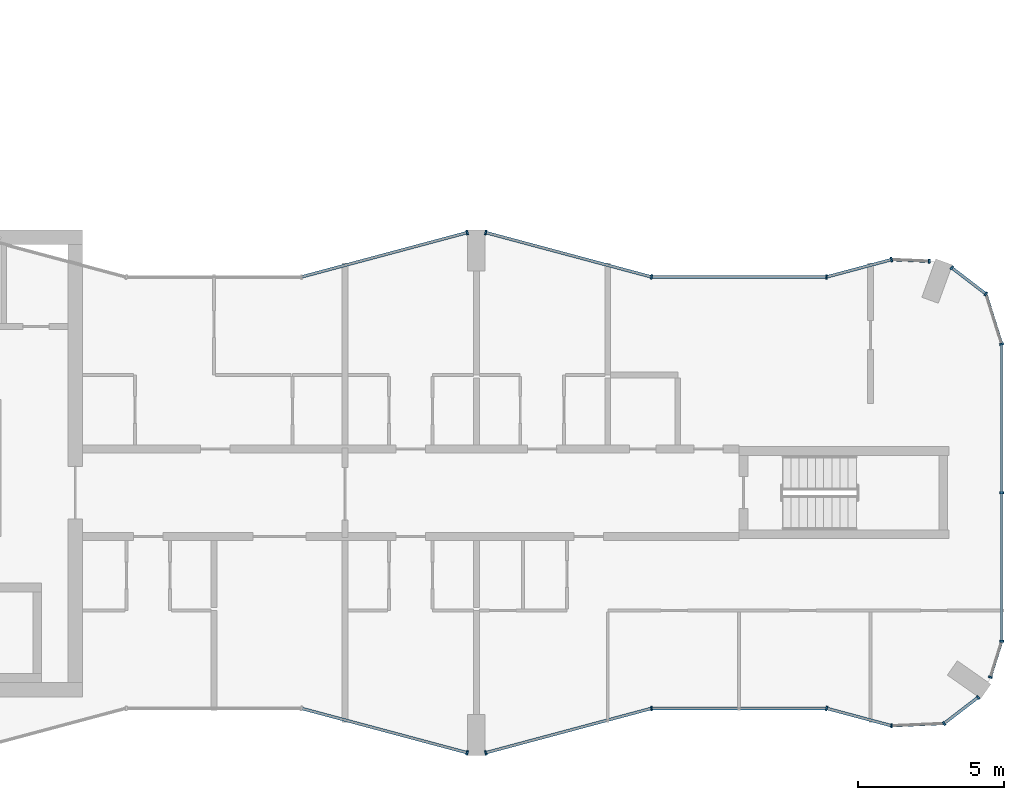
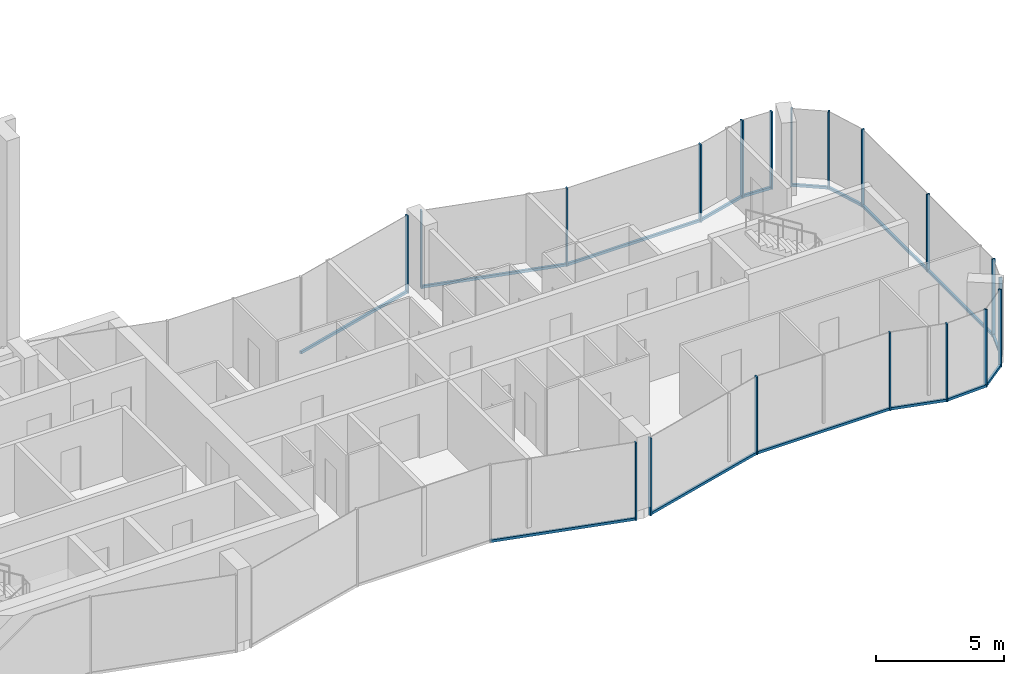
# One storey, part 5 of 13: 34 members, 15 elements without a shape of their own.
"""IFC4 building model written with IfcOpenShell, lengths in metres."""

from ifc_helpers import new_model, si_unit, direction, frame, origin, origin_2d, place, context, subcontext, project, spatial, rectangle, extrude, material, layer, layer_set, material_profile, profile_set, type_object, element, aggregate, save


model = new_model("IFC4")

# Units and contexts
model_context = context("Model", 3, precision=1e-05, world=origin(), true_north=direction((0.0, 1.0)))
body_context = subcontext(model_context, "Body", "Model", "MODEL_VIEW")
ifc_project = project(units=[si_unit("LENGTHUNIT", "METRE"), si_unit("AREAUNIT", "SQUARE_METRE"), si_unit("VOLUMEUNIT", "CUBIC_METRE"), si_unit("PLANEANGLEUNIT", "RADIAN"), si_unit("MASSUNIT", "GRAM", prefix="KILO")], contexts=[model_context])

# Site, building, storey
site_placement = place(None, origin())
site = spatial("IfcSite", under=ifc_project, at=site_placement, CompositionType="ELEMENT")
building_placement = place(site_placement, origin())
building = spatial("IfcBuilding", under=site, at=building_placement, Name="Plateau Cross Towers", CompositionType="ELEMENT")
storey_placement = place(building_placement, frame((0.0, 0.0, 229.39990234375)))
storey = spatial("IfcBuildingStorey", under=building, at=storey_placement, Name="L60", CompositionType="ELEMENT", Elevation=229.39990234375)

# Curtain wall, member
ifc_material_1 = material(Name="Dark low-iron glass", Category="glass")
ifc_layer_1 = layer(ifc_material_1, 0.239990234375)
ifc_layer_set_1 = layer_set([ifc_layer_1], Name="Dark low-iron glass")
curtain_wall_type_1 = type_object("IfcCurtainWallType", Name="Curtain wall flush unitised CW-B", PredefinedType="NOTDEFINED", material=ifc_layer_set_1)
curtain_wall_1_placement = place(storey_placement, origin())
curtain_wall_1 = element("IfcCurtainWall", 1, at=curtain_wall_1_placement, inside=storey, type_object=curtain_wall_type_1, Name="ENV/A/L60/A502_10", PredefinedType="NOTDEFINED")
ifc_material_2 = material(Name="Black anodised aluminium", Category="aluminium")
ifc_material_profile_1 = material_profile(ifc_material_2, rectangle(XDim=0.06005859375, YDim=0.139892578125, at=origin_2d()), Name="MULLION 60x140")
ifc_profile_set_1 = profile_set([ifc_material_profile_1], Name="Black anodised aluminium")
member_type_1 = type_object("IfcMemberType", Name="Mullion 60x140 flush unitised", PredefinedType="MULLION", material=ifc_profile_set_1)
member_1_placement = place(storey_placement, frame((50.223876953125, 1.01123046875, -0.449951171875), z_axis=(0.0, 0.0, 1.0), x_axis=(0.999043701491, 0.043722791671, 0.0)))
member_1 = element("IfcMember", 2, at=member_1_placement, type_object=member_type_1, Name="CW-B mullion 1", PredefinedType="MULLION", context=body_context, shape_type="SweptSolid", body=[
    extrude(rectangle(XDim=0.06005859375, YDim=0.139892578125, at=origin_2d()), origin(), (0.0, 0.0, 1.0), 3.699951171875),
])

# Curtain wall, members
curtain_wall_2_placement = place(storey_placement, origin())
curtain_wall_2 = element("IfcCurtainWall", 3, at=curtain_wall_2_placement, inside=storey, type_object=curtain_wall_type_1, Name="ENV/A/L60/A520_11", PredefinedType="NOTDEFINED")
member_2_placement = place(storey_placement, frame((52.0263671875, 1.090087890625, -0.449951171875), z_axis=(0.0, 0.0, 1.0), x_axis=(0.793315514529, 0.608810721331, 0.0)))
member_2 = element("IfcMember", 4, at=member_2_placement, type_object=member_type_1, Name="CW-B mullion 1", PredefinedType="MULLION", context=body_context, shape_type="SweptSolid", body=[
    extrude(rectangle(XDim=0.06005859375, YDim=0.139892578125, at=origin_2d()), origin(), (0.0, 0.0, 1.0), 3.699951171875),
])
member_3_placement = place(storey_placement, frame((53.193603515625, 1.986083984375, -0.449951171875), z_axis=(0.0, 0.0, 1.0), x_axis=(0.793315514529, 0.608810721331, 0.0)))
member_3 = element("IfcMember", 5, at=member_3_placement, type_object=member_type_1, Name="CW-B mullion 2", PredefinedType="MULLION", context=body_context, shape_type="SweptSolid", body=[
    extrude(rectangle(XDim=0.06005859375, YDim=0.139892578125, at=origin_2d()), origin(), (0.0, 0.0, 1.0), 3.699951171875),
])

# Curtain wall, member
curtain_wall_3_placement = place(storey_placement, origin())
curtain_wall_3 = element("IfcCurtainWall", 6, at=curtain_wall_3_placement, inside=storey, type_object=curtain_wall_type_1, Name="ENV/A/L60/A536_27", PredefinedType="NOTDEFINED")
member_4_placement = place(storey_placement, frame((53.611083984375, 2.67529296875, -0.449951171875), z_axis=(0.0, 0.0, 1.0), x_axis=(0.300686174994, 0.95372313811, 0.0)))
member_4 = element("IfcMember", 7, at=member_4_placement, type_object=member_type_1, Name="CW-B mullion 1", PredefinedType="MULLION", context=body_context, shape_type="SweptSolid", body=[
    extrude(rectangle(XDim=0.06005859375, YDim=0.139892578125, at=origin_2d()), origin(), (0.0, 0.0, 1.0), 3.699951171875),
])

# Curtain wall, members
curtain_wall_4_placement = place(storey_placement, origin())
curtain_wall_4 = element("IfcCurtainWall", 8, at=curtain_wall_4_placement, inside=storey, type_object=curtain_wall_type_1, Name="ENV/A/L60/A540_39", PredefinedType="NOTDEFINED")
member_5_placement = place(storey_placement, frame((54.0, 3.9091796875, -0.449951171875), z_axis=(0.0, 0.0, 1.0), x_axis=(0.0, 1.0, 0.0)))
member_5 = element("IfcMember", 9, at=member_5_placement, type_object=member_type_1, Name="CW-B mullion 1", PredefinedType="MULLION", context=body_context, shape_type="SweptSolid", body=[
    extrude(rectangle(XDim=0.06005859375, YDim=0.139892578125, at=origin_2d()), origin(), (0.0, 0.0, 1.0), 3.699951171875),
])
member_6_placement = place(storey_placement, frame((54.0, 9.0, -0.449951171875), z_axis=(0.0, 0.0, 1.0), x_axis=(0.0, 1.0, 0.0)))
member_6 = element("IfcMember", 10, at=member_6_placement, type_object=member_type_1, Name="CW-B mullion 2", PredefinedType="MULLION", context=body_context, shape_type="SweptSolid", body=[
    extrude(rectangle(XDim=0.06005859375, YDim=0.139892578125, at=origin_2d()), origin(), (0.0, 0.0, 1.0), 3.699951171875),
])

# Curtain wall, member
curtain_wall_5_placement = place(storey_placement, origin())
curtain_wall_5 = element("IfcCurtainWall", 11, at=curtain_wall_5_placement, inside=storey, type_object=curtain_wall_type_1, Name="ENV/A/L60/A540_141", PredefinedType="NOTDEFINED")
member_7_placement = place(storey_placement, frame((54.0, 14.0908203125, -0.449951171875), z_axis=(0.0, 0.0, 1.0), x_axis=(-0.300686174994, 0.95372313811, 0.0)))
member_7 = element("IfcMember", 12, at=member_7_placement, type_object=member_type_1, Name="CW-B mullion 1", PredefinedType="MULLION", context=body_context, shape_type="SweptSolid", body=[
    extrude(rectangle(XDim=0.06005859375, YDim=0.139892578125, at=origin_2d()), origin(), (0.0, 0.0, 1.0), 3.699951171875),
])

# Curtain wall, members
curtain_wall_6_placement = place(storey_placement, origin())
curtain_wall_6 = element("IfcCurtainWall", 13, at=curtain_wall_6_placement, inside=storey, type_object=curtain_wall_type_1, Name="ENV/A/L60/A535_158", PredefinedType="NOTDEFINED")
member_8_placement = place(storey_placement, frame((53.45751953125, 15.8115234375, -0.449951171875), z_axis=(0.0, 0.0, 1.0), x_axis=(-0.793315514529, 0.608810721331, 0.0)))
member_8 = element("IfcMember", 14, at=member_8_placement, type_object=member_type_1, Name="CW-B mullion 1", PredefinedType="MULLION", context=body_context, shape_type="SweptSolid", body=[
    extrude(rectangle(XDim=0.06005859375, YDim=0.139892578125, at=origin_2d()), origin(), (0.0, 0.0, 1.0), 3.699951171875),
])
member_9_placement = place(storey_placement, frame((52.290283203125, 16.707275390625, -0.449951171875), z_axis=(0.0, 0.0, 1.0), x_axis=(-0.793315514529, 0.608810721331, 0.0)))
member_9 = element("IfcMember", 15, at=member_9_placement, type_object=member_type_1, Name="CW-B mullion 2", PredefinedType="MULLION", context=body_context, shape_type="SweptSolid", body=[
    extrude(rectangle(XDim=0.06005859375, YDim=0.139892578125, at=origin_2d()), origin(), (0.0, 0.0, 1.0), 3.699951171875),
])

# Curtain wall, member
curtain_wall_7_placement = place(storey_placement, origin())
curtain_wall_7 = element("IfcCurtainWall", 16, at=curtain_wall_7_placement, inside=storey, type_object=curtain_wall_type_1, Name="ENV/A/L60/A515_169", PredefinedType="NOTDEFINED")
member_10_placement = place(storey_placement, frame((51.516357421875, 16.93212890625, -0.449951171875), z_axis=(0.0, 0.0, 1.0), x_axis=(-0.999043701491, 0.043722791671, 0.0)))
member_10 = element("IfcMember", 17, at=member_10_placement, type_object=member_type_1, Name="CW-B mullion 1", PredefinedType="MULLION", context=body_context, shape_type="SweptSolid", body=[
    extrude(rectangle(XDim=0.06005859375, YDim=0.139892578125, at=origin_2d()), origin(), (0.0, 0.0, 1.0), 3.699951171875),
])

ifc_layer_2 = layer(ifc_material_1, 0.260009765625)
ifc_layer_set_2 = layer_set([ifc_layer_2], Name="Dark low-iron glass")
curtain_wall_type_2 = type_object("IfcCurtainWallType", Name="Curtain wall fluted unitised CW-A", PredefinedType="NOTDEFINED", material=ifc_layer_set_2)
curtain_wall_8_placement = place(storey_placement, origin())
curtain_wall_8 = element("IfcCurtainWall", 18, at=curtain_wall_8_placement, inside=storey, type_object=curtain_wall_type_2, Name="ENV/A/L60/A300_16", PredefinedType="NOTDEFINED")
ifc_material_profile_2 = material_profile(ifc_material_2, rectangle(XDim=0.06005859375, YDim=0.159912109375, at=origin_2d()), Name="MULLION 60x160")
ifc_profile_set_2 = profile_set([ifc_material_profile_2], Name="Black anodised aluminium")
member_type_2 = type_object("IfcMemberType", Name="Mullion 60x160 fluted unitised", PredefinedType="MULLION", material=ifc_profile_set_2)
member_11_placement = place(storey_placement, frame((35.68212890625, 0.085205078125, -0.449951171875), z_axis=(0.0, 0.0, 1.0), x_axis=(0.965957983404, -0.258699003279, 0.0)))
member_11 = element("IfcMember", 19, at=member_11_placement, type_object=member_type_2, Name="CW-A mullion 2", PredefinedType="MULLION", context=body_context, shape_type="SweptSolid", body=[
    extrude(rectangle(XDim=0.06005859375, YDim=0.159912109375, at=origin_2d()), origin(), (0.0, 0.0, 1.0), 3.699951171875),
])

curtain_wall_9_placement = place(storey_placement, origin())
curtain_wall_9 = element("IfcCurtainWall", 20, at=curtain_wall_9_placement, inside=storey, type_object=curtain_wall_type_2, Name="ENV/A/L60/A363_1", PredefinedType="NOTDEFINED")
member_12_placement = place(storey_placement, frame((36.31787109375, 0.085205078125, -0.449951171875), z_axis=(0.0, 0.0, 1.0), x_axis=(0.965957983404, 0.258699003279, 0.0)))
member_12 = element("IfcMember", 21, at=member_12_placement, type_object=member_type_2, Name="CW-A mullion 1", PredefinedType="MULLION", context=body_context, shape_type="SweptSolid", body=[
    extrude(rectangle(XDim=0.06005859375, YDim=0.159912109375, at=origin_2d()), origin(), (0.0, 0.0, 1.0), 3.699951171875),
])

curtain_wall_10_placement = place(storey_placement, origin())
curtain_wall_10 = element("IfcCurtainWall", 22, at=curtain_wall_10_placement, inside=storey, type_object=curtain_wall_type_2, Name="ENV/A/L60/A420_16", PredefinedType="NOTDEFINED")
member_13_placement = place(storey_placement, frame((42.0, 1.60693359375, -0.449951171875), z_axis=(0.0, 0.0, 1.0), x_axis=(1.0, 0.0, 0.0)))
member_13 = element("IfcMember", 23, at=member_13_placement, type_object=member_type_2, Name="CW-A mullion 1", PredefinedType="MULLION", context=body_context, shape_type="SweptSolid", body=[
    extrude(rectangle(XDim=0.06005859375, YDim=0.159912109375, at=origin_2d()), origin(), (0.0, 0.0, 1.0), 3.699951171875),
])

curtain_wall_11_placement = place(storey_placement, origin())
curtain_wall_11 = element("IfcCurtainWall", 24, at=curtain_wall_11_placement, inside=storey, type_object=curtain_wall_type_2, Name="ENV/A/L60/A480_16", PredefinedType="NOTDEFINED")
member_14_placement = place(storey_placement, frame((48.0, 1.60693359375, -0.449951171875), z_axis=(0.0, 0.0, 1.0), x_axis=(0.965957962328, -0.258699081978, 0.0)))
member_14 = element("IfcMember", 25, at=member_14_placement, type_object=member_type_2, Name="CW-A mullion 1", PredefinedType="MULLION", context=body_context, shape_type="SweptSolid", body=[
    extrude(rectangle(XDim=0.06005859375, YDim=0.159912109375, at=origin_2d()), origin(), (0.0, 0.0, 1.0), 3.699951171875),
])

curtain_wall_12_placement = place(storey_placement, origin())
curtain_wall_12 = element("IfcCurtainWall", 26, at=curtain_wall_12_placement, inside=storey, type_object=curtain_wall_type_2, Name="ENV/A/L60/A502_170", PredefinedType="NOTDEFINED")
member_15_placement = place(storey_placement, frame((50.223876953125, 16.98876953125, -0.449951171875), z_axis=(0.0, 0.0, 1.0), x_axis=(-0.965957962328, -0.258699081978, 0.0)))
member_15 = element("IfcMember", 27, at=member_15_placement, type_object=member_type_2, Name="CW-A mullion 1", PredefinedType="MULLION", context=body_context, shape_type="SweptSolid", body=[
    extrude(rectangle(XDim=0.06005859375, YDim=0.159912109375, at=origin_2d()), origin(), (0.0, 0.0, 1.0), 3.699951171875),
])

curtain_wall_13_placement = place(storey_placement, origin())
curtain_wall_13 = element("IfcCurtainWall", 28, at=curtain_wall_13_placement, inside=storey, type_object=curtain_wall_type_2, Name="ENV/A/L60/A480_164", PredefinedType="NOTDEFINED")
member_16_placement = place(storey_placement, frame((48.0, 16.39306640625, -0.449951171875), z_axis=(0.0, 0.0, 1.0), x_axis=(-1.0, 0.0, 0.0)))
member_16 = element("IfcMember", 29, at=member_16_placement, type_object=member_type_2, Name="CW-A mullion 1", PredefinedType="MULLION", context=body_context, shape_type="SweptSolid", body=[
    extrude(rectangle(XDim=0.06005859375, YDim=0.159912109375, at=origin_2d()), origin(), (0.0, 0.0, 1.0), 3.699951171875),
])

# Curtain wall, members
curtain_wall_14_placement = place(storey_placement, origin())
curtain_wall_14 = element("IfcCurtainWall", 30, at=curtain_wall_14_placement, inside=storey, type_object=curtain_wall_type_2, Name="ENV/A/L60/A420_164", PredefinedType="NOTDEFINED")
member_17_placement = place(storey_placement, frame((42.0, 16.39306640625, -0.449951171875), z_axis=(0.0, 0.0, 1.0), x_axis=(-0.965957983404, 0.258699003279, 0.0)))
member_17 = element("IfcMember", 31, at=member_17_placement, type_object=member_type_2, Name="CW-A mullion 1", PredefinedType="MULLION", context=body_context, shape_type="SweptSolid", body=[
    extrude(rectangle(XDim=0.06005859375, YDim=0.159912109375, at=origin_2d()), origin(), (0.0, 0.0, 1.0), 3.699951171875),
])
member_18_placement = place(storey_placement, frame((36.31787109375, 17.914794921875, -0.449951171875), z_axis=(0.0, 0.0, 1.0), x_axis=(-0.965957983404, 0.258699003279, 0.0)))
member_18 = element("IfcMember", 32, at=member_18_placement, type_object=member_type_2, Name="CW-A mullion 2", PredefinedType="MULLION", context=body_context, shape_type="SweptSolid", body=[
    extrude(rectangle(XDim=0.06005859375, YDim=0.159912109375, at=origin_2d()), origin(), (0.0, 0.0, 1.0), 3.699951171875),
])

# Curtain wall, member
curtain_wall_15_placement = place(storey_placement, origin())
curtain_wall_15 = element("IfcCurtainWall", 33, at=curtain_wall_15_placement, inside=storey, type_object=curtain_wall_type_2, Name="ENV/A/L60/A357_179", PredefinedType="NOTDEFINED")
member_19_placement = place(storey_placement, frame((35.68212890625, 17.914794921875, -0.449951171875), z_axis=(0.0, 0.0, 1.0), x_axis=(-0.965957983404, -0.258699003279, 0.0)))
member_19 = element("IfcMember", 34, at=member_19_placement, type_object=member_type_2, Name="CW-A mullion 1", PredefinedType="MULLION", context=body_context, shape_type="SweptSolid", body=[
    extrude(rectangle(XDim=0.06005859375, YDim=0.159912109375, at=origin_2d()), origin(), (0.0, 0.0, 1.0), 3.699951171875),
])

# Member
ifc_material_profile_3 = material_profile(ifc_material_2, rectangle(XDim=0.10009765625, YDim=0.1201171875, at=origin_2d()), Name="TRANSOM 100x120")
ifc_profile_set_3 = profile_set([ifc_material_profile_3], Name="Black anodised aluminium")
member_type_3 = type_object("IfcMemberType", Name="Transom 100x120 flush unitised", PredefinedType="USERDEFINED", material=ifc_profile_set_3)
member_20_placement = place(storey_placement, frame((50.223876953125, 1.01123046875, -0.389892578125), z_axis=(0.999044377355, 0.043707345779, 0.0), x_axis=(-0.043707345779, 0.999044377355, 0.0)))
member_20 = element("IfcMember", 35, at=member_20_placement, type_object=member_type_3, Name="CW-B transom", ObjectType="TRANSOM", PredefinedType="USERDEFINED", context=body_context, shape_type="SweptSolid", body=[
    extrude(rectangle(XDim=0.10009765625, YDim=0.1201171875, at=origin_2d()), origin(), (0.0, 0.0, 1.0), 1.80419921875),
])

aggregate(curtain_wall_1, [member_1, member_20])

member_21_placement = place(storey_placement, frame((52.0263671875, 1.090087890625, -0.389892578125), z_axis=(0.793240368515, 0.608908628415, 0.0), x_axis=(-0.608908628415, 0.793240368515, 0.0)))
member_21 = element("IfcMember", 36, at=member_21_placement, type_object=member_type_3, Name="CW-B transom", ObjectType="TRANSOM", PredefinedType="USERDEFINED", context=body_context, shape_type="SweptSolid", body=[
    extrude(rectangle(XDim=0.10009765625, YDim=0.1201171875, at=origin_2d()), origin(), (0.0, 0.0, 1.0), 1.471435546875),
])

aggregate(curtain_wall_2, [member_2, member_3, member_21])

member_22_placement = place(storey_placement, frame((53.611083984375, 2.67529296875, -0.389892578125), z_axis=(0.300616528216, 0.953745093284, 0.0), x_axis=(-0.953745093284, 0.300616528216, 0.0)))
member_22 = element("IfcMember", 37, at=member_22_placement, type_object=member_type_3, Name="CW-B transom", ObjectType="TRANSOM", PredefinedType="USERDEFINED", context=body_context, shape_type="SweptSolid", body=[
    extrude(rectangle(XDim=0.10009765625, YDim=0.1201171875, at=origin_2d()), origin(), (0.0, 0.0, 1.0), 1.293701171875),
])

aggregate(curtain_wall_3, [member_4, member_22])

member_23_placement = place(storey_placement, frame((54.0, 3.9091796875, -0.389892578125), z_axis=(0.0, 1.0, 0.0), x_axis=(-1.0, 0.0, 0.0)))
member_23 = element("IfcMember", 38, at=member_23_placement, type_object=member_type_3, Name="CW-B transom", ObjectType="TRANSOM", PredefinedType="USERDEFINED", context=body_context, shape_type="SweptSolid", body=[
    extrude(rectangle(XDim=0.10009765625, YDim=0.1201171875, at=origin_2d()), origin(), (0.0, 0.0, 1.0), 10.181640625),
])

aggregate(curtain_wall_4, [member_5, member_6, member_23])

member_24_placement = place(storey_placement, frame((54.0, 14.0908203125, -0.389892578125), z_axis=(-0.30067799945, 0.953725715626, 0.0), x_axis=(-0.953725715626, -0.30067799945, 0.0)))
member_24 = element("IfcMember", 39, at=member_24_placement, type_object=member_type_3, Name="CW-B transom", ObjectType="TRANSOM", PredefinedType="USERDEFINED", context=body_context, shape_type="SweptSolid", body=[
    extrude(rectangle(XDim=0.10009765625, YDim=0.1201171875, at=origin_2d()), origin(), (0.0, 0.0, 1.0), 1.80419921875),
])

aggregate(curtain_wall_5, [member_7, member_24])

member_25_placement = place(storey_placement, frame((53.45751953125, 15.8115234375, -0.389892578125), z_axis=(-0.793320508571, 0.608804213751, 0.0), x_axis=(-0.608804213751, -0.793320508571, 0.0)))
member_25 = element("IfcMember", 40, at=member_25_placement, type_object=member_type_3, Name="CW-B transom", ObjectType="TRANSOM", PredefinedType="USERDEFINED", context=body_context, shape_type="SweptSolid", body=[
    extrude(rectangle(XDim=0.10009765625, YDim=0.1201171875, at=origin_2d()), origin(), (0.0, 0.0, 1.0), 1.471435546875),
])

aggregate(curtain_wall_6, [member_8, member_9, member_25])

member_26_placement = place(storey_placement, frame((51.516357421875, 16.93212890625, -0.389892578125), z_axis=(-0.999041144614, 0.043781175963, 0.0), x_axis=(-0.043781175963, -0.999041144614, 0.0)))
member_26 = element("IfcMember", 41, at=member_26_placement, type_object=member_type_3, Name="CW-B transom", ObjectType="TRANSOM", PredefinedType="USERDEFINED", context=body_context, shape_type="SweptSolid", body=[
    extrude(rectangle(XDim=0.10009765625, YDim=0.1201171875, at=origin_2d()), origin(), (0.0, 0.0, 1.0), 1.293701171875),
])

aggregate(curtain_wall_7, [member_10, member_26])

ifc_material_profile_4 = material_profile(ifc_material_2, rectangle(XDim=0.10009765625, YDim=0.1201171875, at=origin_2d()), Name="TRANSOM 100x120")
ifc_profile_set_4 = profile_set([ifc_material_profile_4], Name="Black anodised aluminium")
member_type_4 = type_object("IfcMemberType", Name="Transom 100x120 fluted unitised", PredefinedType="USERDEFINED", material=ifc_profile_set_4)
member_27_placement = place(storey_placement, frame((30.0, 1.60693359375, -0.389892578125), z_axis=(0.965959534794, -0.258693210465, 0.0), x_axis=(0.258693210465, 0.965959534794, 0.0)))
member_27 = element("IfcMember", 42, at=member_27_placement, type_object=member_type_4, Name="CW-A transom", ObjectType="TRANSOM", PredefinedType="USERDEFINED", context=body_context, shape_type="SweptSolid", body=[
    extrude(rectangle(XDim=0.10009765625, YDim=0.1201171875, at=origin_2d()), origin(), (0.0, 0.0, 1.0), 5.88232421875),
])

aggregate(curtain_wall_8, [member_11, member_27])

member_28_placement = place(storey_placement, frame((36.31787109375, 0.085205078125, -0.389892578125), z_axis=(0.965959534794, 0.258693210465, 0.0), x_axis=(-0.258693210465, 0.965959534794, 0.0)))
member_28 = element("IfcMember", 43, at=member_28_placement, type_object=member_type_4, Name="CW-A transom", ObjectType="TRANSOM", PredefinedType="USERDEFINED", context=body_context, shape_type="SweptSolid", body=[
    extrude(rectangle(XDim=0.10009765625, YDim=0.1201171875, at=origin_2d()), origin(), (0.0, 0.0, 1.0), 5.88232421875),
])

aggregate(curtain_wall_9, [member_12, member_28])

member_29_placement = place(storey_placement, frame((42.0, 1.60693359375, -0.389892578125), z_axis=(1.0, 0.0, 0.0), x_axis=(0.0, 1.0, 0.0)))
member_29 = element("IfcMember", 44, at=member_29_placement, type_object=member_type_4, Name="CW-A transom", ObjectType="TRANSOM", PredefinedType="USERDEFINED", context=body_context, shape_type="SweptSolid", body=[
    extrude(rectangle(XDim=0.10009765625, YDim=0.1201171875, at=origin_2d()), origin(), (0.0, 0.0, 1.0), 6.0),
])

aggregate(curtain_wall_10, [member_13, member_29])

member_30_placement = place(storey_placement, frame((48.0, 1.60693359375, -0.389892578125), z_axis=(0.965945685136, -0.258744919501, 0.0), x_axis=(0.258744919501, 0.965945685136, 0.0)))
member_30 = element("IfcMember", 45, at=member_30_placement, type_object=member_type_4, Name="CW-A transom", ObjectType="TRANSOM", PredefinedType="USERDEFINED", context=body_context, shape_type="SweptSolid", body=[
    extrude(rectangle(XDim=0.10009765625, YDim=0.1201171875, at=origin_2d()), origin(), (0.0, 0.0, 1.0), 2.30224609375),
])

aggregate(curtain_wall_11, [member_14, member_30])

member_31_placement = place(storey_placement, frame((50.223876953125, 16.98876953125, -0.389892578125), z_axis=(-0.965945685136, -0.258744919501, 0.0), x_axis=(0.258744919501, -0.965945685136, 0.0)))
member_31 = element("IfcMember", 46, at=member_31_placement, type_object=member_type_4, Name="CW-A transom", ObjectType="TRANSOM", PredefinedType="USERDEFINED", context=body_context, shape_type="SweptSolid", body=[
    extrude(rectangle(XDim=0.10009765625, YDim=0.1201171875, at=origin_2d()), origin(), (0.0, 0.0, 1.0), 2.30224609375),
])

aggregate(curtain_wall_12, [member_15, member_31])

member_32_placement = place(storey_placement, frame((48.0, 16.39306640625, -0.389892578125), z_axis=(-1.0, 0.0, 0.0), x_axis=(0.0, -1.0, 0.0)))
member_32 = element("IfcMember", 47, at=member_32_placement, type_object=member_type_4, Name="CW-A transom", ObjectType="TRANSOM", PredefinedType="USERDEFINED", context=body_context, shape_type="SweptSolid", body=[
    extrude(rectangle(XDim=0.10009765625, YDim=0.1201171875, at=origin_2d()), origin(), (0.0, 0.0, 1.0), 6.0),
])

aggregate(curtain_wall_13, [member_16, member_32])

member_33_placement = place(storey_placement, frame((42.0, 16.39306640625, -0.389892578125), z_axis=(-0.965959534794, 0.258693210465, 0.0), x_axis=(-0.258693210465, -0.965959534794, 0.0)))
member_33 = element("IfcMember", 48, at=member_33_placement, type_object=member_type_4, Name="CW-A transom", ObjectType="TRANSOM", PredefinedType="USERDEFINED", context=body_context, shape_type="SweptSolid", body=[
    extrude(rectangle(XDim=0.10009765625, YDim=0.1201171875, at=origin_2d()), origin(), (0.0, 0.0, 1.0), 5.88232421875),
])

aggregate(curtain_wall_14, [member_17, member_18, member_33])

member_34_placement = place(storey_placement, frame((35.68212890625, 17.914794921875, -0.389892578125), z_axis=(-0.965959534794, -0.258693210465, 0.0), x_axis=(0.258693210465, -0.965959534794, 0.0)))
member_34 = element("IfcMember", 49, at=member_34_placement, type_object=member_type_4, Name="CW-A transom", ObjectType="TRANSOM", PredefinedType="USERDEFINED", context=body_context, shape_type="SweptSolid", body=[
    extrude(rectangle(XDim=0.10009765625, YDim=0.1201171875, at=origin_2d()), origin(), (0.0, 0.0, 1.0), 5.88232421875),
])

aggregate(curtain_wall_15, [member_19, member_34])

save(model, "model.ifc")
